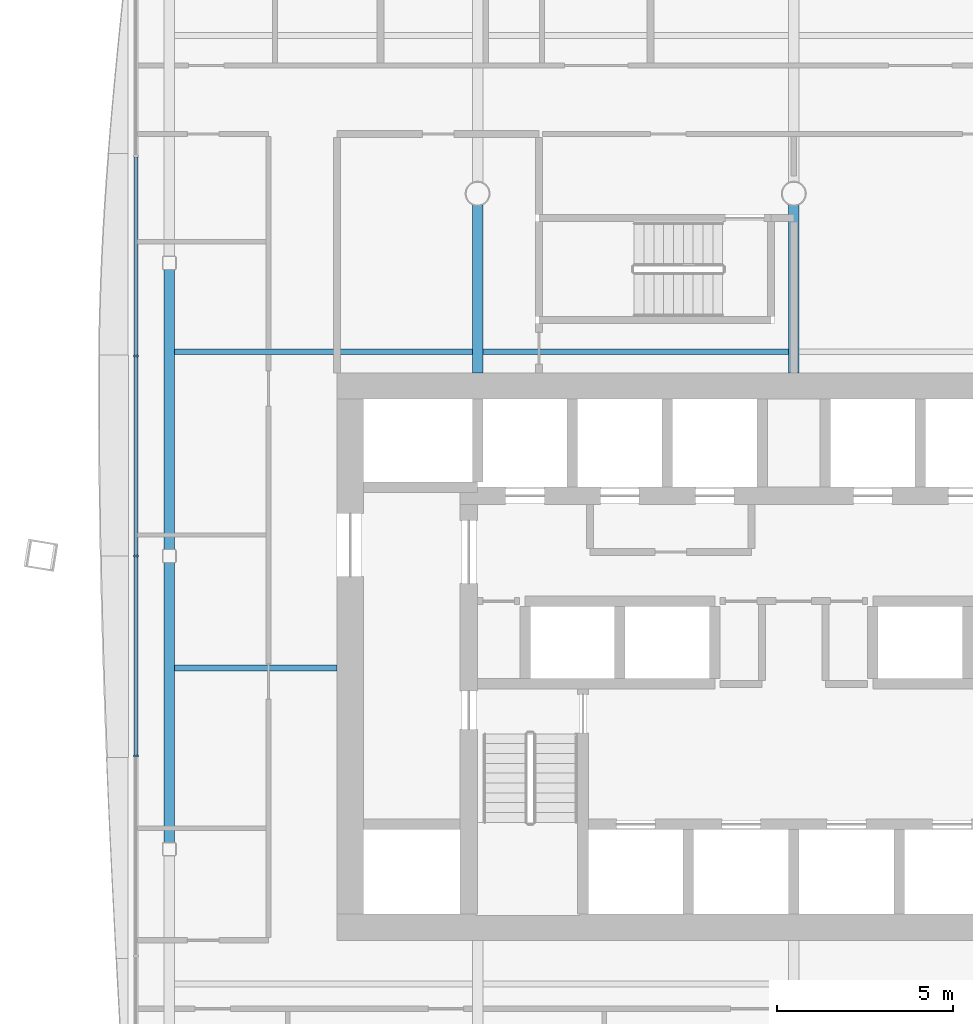
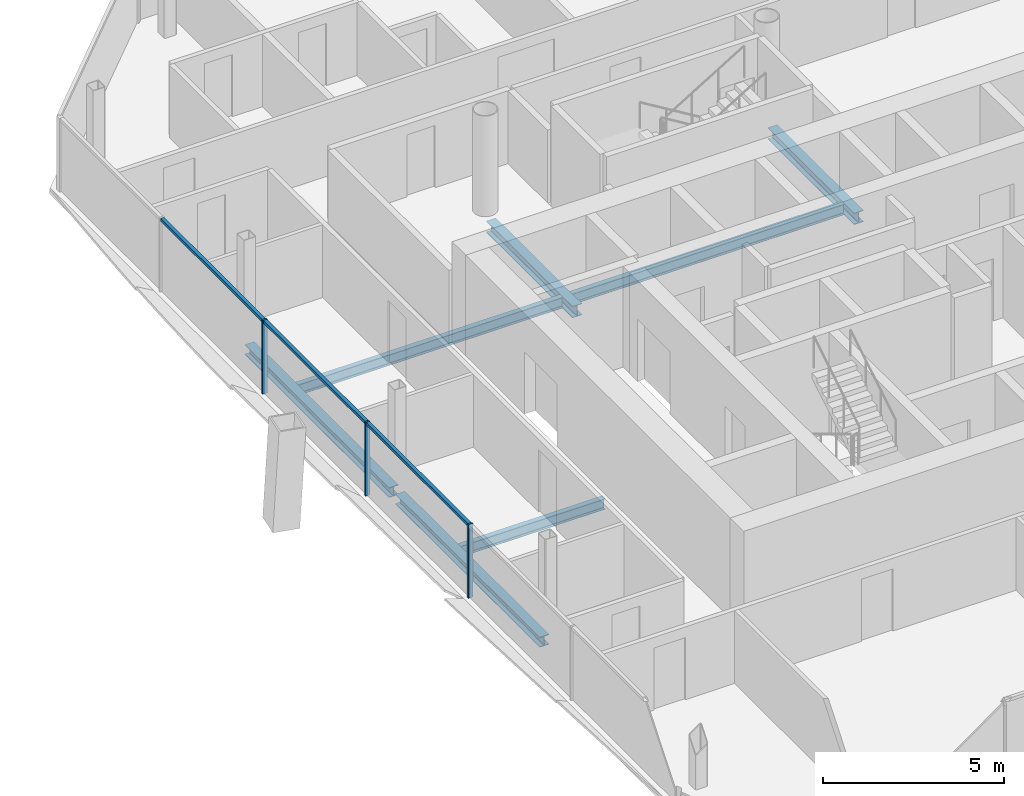
# One storey, part 5 of 17: 7 beams, 6 members, 1 element without a shape of its own.
"""IFC4 building model written with IfcOpenShell, lengths in metres."""

import ifcopenshell
import ifcopenshell.guid

model = None  # the IFC model being written
_history = None  # IfcOwnerHistory: only IFC2X3 demands one
_inside = {}  # id of a spatial element -> (the spatial element, [elements in it])
_under = {}  # id of a project, library or spatial element -> (it, [spatial elements below it])
_declared = {}  # id of a project -> (the project, [libraries it declares])
_typed = {}  # id of a type object -> (the type object, [elements of that type])
_made_of = {}  # id of a material, layer set ... -> (it, [elements and type objects made of it])


def new_model(schema):
    """Start an empty IFC model of exactly this schema.

    Asked for "IFC4X3", IfcOpenShell would pick the latest addendum, in which some entities
    have other attributes; the version numbers below select the first issue.
    IFC2X3 requires an IfcOwnerHistory on every rooted entity: one is made here for all.
    """
    global model, _history
    if schema == "IFC4X3":
        model = ifcopenshell.file(schema_version=(4, 3, 0, 0))
    else:
        model = ifcopenshell.file(schema=schema)
    _inside.clear()
    _under.clear()
    _declared.clear()
    _typed.clear()
    _made_of.clear()
    _history = None
    if model.schema == "IFC2X3":
        org = make("IfcOrganization", Name="unknown")
        user = make(
            "IfcPersonAndOrganization",
            ThePerson=make("IfcPerson", FamilyName="unknown"),
            TheOrganization=org,
        )
        app = make(
            "IfcApplication",
            ApplicationDeveloper=org,
            Version="unknown",
            ApplicationFullName="unknown",
            ApplicationIdentifier="unknown",
        )
        _history = make(
            "IfcOwnerHistory",
            OwningUser=user,
            OwningApplication=app,
            ChangeAction="ADDED",
            CreationDate=0,
        )
    return model


def make(cls, **values):
    """One entity of the class cls with the attributes given. An attribute that is None is left unset."""
    return model.create_entity(
        cls, **{name: value for name, value in values.items() if value is not None}
    )


def rooted(cls, **values):
    """An entity with a GlobalId (a new one), such as an element, a storey or a relation."""
    return make(cls, GlobalId=ifcopenshell.guid.new(), OwnerHistory=_history, **values)


def si_unit(unit_type, name, prefix=None):
    """IfcSIUnit, for example si_unit("LENGTHUNIT", "METRE", prefix="MILLI")."""
    return make("IfcSIUnit", UnitType=unit_type, Prefix=prefix, Name=name)


def assignment(units):
    """IfcUnitAssignment: the units of a project."""
    return None if units is None else make("IfcUnitAssignment", Units=units)


def point(xyz):
    """IfcCartesianPoint."""
    return None if xyz is None else make("IfcCartesianPoint", Coordinates=xyz)


def direction(xyz):
    """IfcDirection."""
    return None if xyz is None else make("IfcDirection", DirectionRatios=xyz)


def frame(location, z_axis=None, x_axis=None):
    """IfcAxis2Placement3D, a coordinate frame: its origin and axes. An axis left out is left unset."""
    return make(
        "IfcAxis2Placement3D",
        Location=point(location),
        Axis=direction(z_axis),
        RefDirection=direction(x_axis),
    )


def frame_2d(location, x_axis=None):
    """IfcAxis2Placement2D, a coordinate frame in the plane: its origin and x axis."""
    return make(
        "IfcAxis2Placement2D", Location=point(location), RefDirection=direction(x_axis)
    )


def origin():
    """The frame at (0, 0, 0) with its axes left unset."""
    return frame((0.0, 0.0, 0.0))


def origin_2d():
    """The frame at (0, 0) in the plane with its x axis left unset."""
    return frame_2d((0.0, 0.0))


def place(relative_to, where):
    """IfcLocalPlacement: puts the frame where relative to a parent placement (None: the world)."""
    return make(
        "IfcLocalPlacement", PlacementRelTo=relative_to, RelativePlacement=where
    )


def context(
    kind, dimensions, precision=None, world=None, true_north=None, identifier=None
):
    """IfcGeometricRepresentationContext, for example the 3D "Model" context."""
    return make(
        "IfcGeometricRepresentationContext",
        ContextIdentifier=identifier,
        ContextType=kind,
        CoordinateSpaceDimension=dimensions,
        Precision=precision,
        WorldCoordinateSystem=world,
        TrueNorth=true_north,
    )


def subcontext(parent, identifier, kind, view, scale=None):
    """IfcGeometricRepresentationSubContext, for example "Body" below "Model"."""
    return make(
        "IfcGeometricRepresentationSubContext",
        ContextIdentifier=identifier,
        ContextType=kind,
        ParentContext=parent,
        TargetScale=scale,
        TargetView=view,
    )


def project(units=None, contexts=None):
    """IfcProject with its units and contexts."""
    return rooted(
        "IfcProject",
        Name="project",
        RepresentationContexts=contexts,
        UnitsInContext=assignment(units),
    )


def spatial(cls, under=None, at=None, **own):
    """A site, building, storey or space (cls), placed at a placement, below another one or the project."""
    s = rooted(cls, ObjectPlacement=at, **own)
    if under is not None:
        _under.setdefault(under.id(), (under, []))[1].append(s)
    return s


def profile(cls, at=None, kind="AREA", **sizes):
    """A parametric profile (cls). Its sizes go by their IFC names, for example OverallWidth=200.0."""
    return make(cls, ProfileType=kind, Position=at, **sizes)


def rectangle(**sizes):
    """IfcRectangleProfileDef."""
    return profile("IfcRectangleProfileDef", **sizes)


def i_section(**sizes):
    """IfcIShapeProfileDef."""
    return profile("IfcIShapeProfileDef", **sizes)


def extrude(swept, where, along, depth):
    """IfcExtrudedAreaSolid: the profile swept, set in the frame where, extruded along a direction by depth."""
    return make(
        "IfcExtrudedAreaSolid",
        SweptArea=swept,
        Position=where,
        ExtrudedDirection=direction(along),
        Depth=depth,
    )


def shape(context_of_items, identifier, shape_type, items):
    """IfcShapeRepresentation: the items that make up one representation, for example the "Body"."""
    return make(
        "IfcShapeRepresentation",
        ContextOfItems=context_of_items,
        RepresentationIdentifier=identifier,
        RepresentationType=shape_type,
        Items=items,
    )


def material(Name=None, Category=None):
    """IfcMaterial."""
    return make("IfcMaterial", Name=Name, Category=Category)


def material_profile(
    of_material, cross_section, Name=None, Category=None, Priority=None
):
    """IfcMaterialProfile: a cross section and its material."""
    return make(
        "IfcMaterialProfile",
        Name=Name,
        Material=of_material,
        Profile=cross_section,
        Priority=Priority,
        Category=Category,
    )


def profile_set(profiles, Name=None, composite=None):
    """IfcMaterialProfileSet."""
    return make(
        "IfcMaterialProfileSet",
        Name=Name,
        MaterialProfiles=profiles,
        CompositeProfile=composite,
    )


def made_of(thing, what):
    """Note that an element or type object is made of a material, layer set ...; save() writes the relation."""
    if what is not None:
        _made_of.setdefault(what.id(), (what, []))[1].append(thing)
    return thing


def type_object(cls, material=None, **own):
    """A type object (cls), such as IfcWallType, which elements share."""
    return made_of(rooted(cls, **own), material)


def element(
    cls,
    number,
    at=None,
    inside=None,
    cuts=None,
    type_object=None,
    material=None,
    context=None,
    identifier="Body",
    shape_type=None,
    held_by="IfcProductDefinitionShape",
    body=None,
    shapes=None,
    **own,
):
    """One element of the class cls, such as IfcWall. Its Tag is "e" and its number.

    at: its placement. inside: the storey or other place that contains it. cuts: it is an
    opening in that element (IfcRelVoidsElement). A single representation is given by context,
    identifier, shape_type and body (its items); several are given by shapes. held_by: the class
    of the entity that holds the representations. save() writes the other relations.
    """
    e = rooted(cls, Tag="e%d" % number, ObjectPlacement=at, **own)
    if body is not None:
        shapes = [shape(context, identifier, shape_type, body)]
    if shapes is not None:
        e.Representation = make(held_by, Representations=shapes)
    if inside is not None:
        _inside.setdefault(inside.id(), (inside, []))[1].append(e)
    if cuts is not None:
        rooted(
            "IfcRelVoidsElement", RelatingBuildingElement=cuts, RelatedOpeningElement=e
        )
    if type_object is not None:
        _typed.setdefault(type_object.id(), (type_object, []))[1].append(e)
    return made_of(e, material)


def aggregate(whole, parts):
    """IfcRelAggregates: a whole, such as a stair, and the parts it consists of."""
    return rooted("IfcRelAggregates", RelatingObject=whole, RelatedObjects=parts)


def save(model, path):
    """Write the relations noted so far, then the file.

    IfcRelAggregates (storeys below a building ...), IfcRelContainedInSpatialStructure (elements
    in a storey), IfcRelDefinesByType, IfcRelAssociatesMaterial and IfcRelDeclares: one each for
    every whole, place, type object, material and project.
    """
    for whole, parts in _under.values():
        aggregate(whole, parts)
    for where, things in _inside.values():
        rooted(
            "IfcRelContainedInSpatialStructure",
            RelatedElements=things,
            RelatingStructure=where,
        )
    for kind, things in _typed.values():
        rooted("IfcRelDefinesByType", RelatedObjects=things, RelatingType=kind)
    for what, things in _made_of.values():
        rooted("IfcRelAssociatesMaterial", RelatedObjects=things, RelatingMaterial=what)
    for by, libraries in _declared.values():
        rooted("IfcRelDeclares", RelatingContext=by, RelatedDefinitions=libraries)
    model.write(path)


model = new_model("IFC4")

# Units and contexts
model_context = context("Model", 3, precision=1e-05, world=origin(), true_north=direction((0.0, 1.0)))
body_context = subcontext(model_context, "Body", "Model", "MODEL_VIEW")
ifc_project = project(units=[si_unit("LENGTHUNIT", "METRE"), si_unit("AREAUNIT", "SQUARE_METRE"), si_unit("VOLUMEUNIT", "CUBIC_METRE"), si_unit("PLANEANGLEUNIT", "RADIAN"), si_unit("MASSUNIT", "GRAM", prefix="KILO")], contexts=[model_context])

# Site, building, storey
site_placement = place(None, origin())
site = spatial("IfcSite", under=ifc_project, at=site_placement, CompositionType="ELEMENT")
building_placement = place(site_placement, origin())
building = spatial("IfcBuilding", under=site, at=building_placement, Name="Tskaro Facet Tower", CompositionType="ELEMENT")
storey_placement = place(building_placement, frame((0.0, 0.0, 158.89990234375)))
storey = spatial("IfcBuildingStorey", under=building, at=storey_placement, Name="L39", CompositionType="ELEMENT", Elevation=158.89990234375)

# Curtain wall, members
ifc_material_1 = material(Name="Bronze anodised aluminium 6063-T6", Category="aluminium")
curtain_wall_type = type_object("IfcCurtainWallType", Name="Bronze hotel curtain wall (FW2)", PredefinedType="NOTDEFINED", material=ifc_material_1)
curtain_wall_placement = place(storey_placement, origin())
curtain_wall = element("IfcCurtainWall", 1, at=curtain_wall_placement, inside=storey, type_object=curtain_wall_type, Name="FW2 west facet L39", PredefinedType="NOTDEFINED")
ifc_material_profile_1 = material_profile(ifc_material_1, rectangle(XDim=0.06005859375, YDim=0.14990234375, at=origin_2d()), Name="Mullion 60x150")
ifc_profile_set_1 = profile_set([ifc_material_profile_1], Name="Bronze anodised aluminium 6063-T6")
member_type_1 = type_object("IfcMemberType", Name="FW2 bronze mullion 60x150", PredefinedType="MULLION", material=ifc_profile_set_1)
member_1_placement = place(storey_placement, frame((-18.72412109375, 4.376708984375, 0.0), z_axis=(0.0, 0.0, 1.0), x_axis=(0.0, -1.0, 0.0)))
member_1 = element("IfcMember", 2, at=member_1_placement, type_object=member_type_1, Name="FW2 west mullion 2", PredefinedType="MULLION", context=body_context, shape_type="SweptSolid", body=[
    extrude(rectangle(XDim=0.06005859375, YDim=0.14990234375, at=origin_2d()), origin(), (0.0, 0.0, 1.0), 2.489990234375),
])
member_2_placement = place(storey_placement, frame((-18.72412109375, -1.3154296875, 0.0), z_axis=(0.0, 0.0, 1.0), x_axis=(0.0, -1.0, 0.0)))
member_2 = element("IfcMember", 3, at=member_2_placement, type_object=member_type_1, Name="FW2 west mullion 3", PredefinedType="MULLION", context=body_context, shape_type="SweptSolid", body=[
    extrude(rectangle(XDim=0.06005859375, YDim=0.14990234375, at=origin_2d()), origin(), (0.0, 0.0, 1.0), 2.489990234375),
])
member_3_placement = place(storey_placement, frame((-18.72412109375, -7.007568359375, 0.0), z_axis=(0.0, 0.0, 1.0), x_axis=(0.0, -1.0, 0.0)))
member_3 = element("IfcMember", 4, at=member_3_placement, type_object=member_type_1, Name="FW2 west mullion 4", PredefinedType="MULLION", context=body_context, shape_type="SweptSolid", body=[
    extrude(rectangle(XDim=0.06005859375, YDim=0.14990234375, at=origin_2d()), origin(), (0.0, 0.0, 1.0), 2.489990234375),
])
ifc_material_profile_2 = material_profile(ifc_material_1, rectangle(XDim=0.110107421875, YDim=0.10009765625, at=origin_2d()), Name="Transom 110x100")
ifc_profile_set_2 = profile_set([ifc_material_profile_2], Name="Bronze anodised aluminium 6063-T6")
member_type_2 = type_object("IfcMemberType", Name="FW2 bronze transom 110x100", PredefinedType="USERDEFINED", material=ifc_profile_set_2)
member_4_placement = place(storey_placement, frame((-18.72412109375, 10.038818359375, 2.440185546875), z_axis=(0.0, -1.0, 0.0), x_axis=(1.0, 0.0, 0.0)))
member_4 = element("IfcMember", 5, at=member_4_placement, type_object=member_type_2, Name="FW2 west transom 2.1", ObjectType="TRANSOM", PredefinedType="USERDEFINED", context=body_context, shape_type="SweptSolid", body=[
    extrude(rectangle(XDim=0.110107421875, YDim=0.10009765625, at=origin_2d()), origin(), (0.0, 0.0, 1.0), 5.632080078125),
])
member_5_placement = place(storey_placement, frame((-18.72412109375, 4.3466796875, 2.440185546875), z_axis=(0.0, -1.0, 0.0), x_axis=(1.0, 0.0, 0.0)))
member_5 = element("IfcMember", 6, at=member_5_placement, type_object=member_type_2, Name="FW2 west transom 3.1", ObjectType="TRANSOM", PredefinedType="USERDEFINED", context=body_context, shape_type="SweptSolid", body=[
    extrude(rectangle(XDim=0.110107421875, YDim=0.10009765625, at=origin_2d()), origin(), (0.0, 0.0, 1.0), 5.632080078125),
])
member_6_placement = place(storey_placement, frame((-18.72412109375, -1.345458984375, 2.440185546875), z_axis=(0.0, -1.0, 0.0), x_axis=(1.0, 0.0, 0.0)))
member_6 = element("IfcMember", 7, at=member_6_placement, type_object=member_type_2, Name="FW2 west transom 4.1", ObjectType="TRANSOM", PredefinedType="USERDEFINED", context=body_context, shape_type="SweptSolid", body=[
    extrude(rectangle(XDim=0.110107421875, YDim=0.10009765625, at=origin_2d()), origin(), (0.0, 0.0, 1.0), 5.63232421875),
])
aggregate(curtain_wall, [member_1, member_2, member_3, member_4, member_5, member_6])

# Beams
ifc_material_2 = material(Name="Steel S355J2", Category="steel")
ifc_material_profile_3 = material_profile(ifc_material_2, i_section(OverallWidth=0.300048828125, OverallDepth=0.340087890625, WebThickness=0.011962890625, FlangeThickness=0.021484375, FilletRadius=0.027099609375, at=origin_2d()), Name="HE 340 B")
ifc_profile_set_3 = profile_set([ifc_material_profile_3], Name="Steel S355J2")
beam_type_1 = type_object("IfcBeamType", Name="HE 340 B ring beam", PredefinedType="BEAM", material=ifc_profile_set_3)
beam_1_placement = place(storey_placement, frame((-17.77392578125, 6.845947265625, -0.309814453125), z_axis=(0.0, -1.0, 0.0), x_axis=(1.0, 0.0, 0.0)))
element("IfcBeam", 8, at=beam_1_placement, inside=storey, type_object=beam_type_1, Name="HE 340 B EB17-3", PredefinedType="BEAM", context=body_context, shape_type="SweptSolid", body=[
    extrude(i_section(OverallWidth=0.300048828125, OverallDepth=0.340087890625, WebThickness=0.011962890625, FlangeThickness=0.021484375, FilletRadius=0.027099609375, at=origin_2d()), origin(), (0.0, 0.0, 1.0), 7.98095703125),
])
beam_2_placement = place(storey_placement, frame((-17.77392578125, -1.4951171875, -0.309814453125), z_axis=(0.0, -1.0, 0.0), x_axis=(1.0, 0.0, 0.0)))
element("IfcBeam", 9, at=beam_2_placement, inside=storey, type_object=beam_type_1, Name="HE 340 B EB18-3", PredefinedType="BEAM", context=body_context, shape_type="SweptSolid", body=[
    extrude(i_section(OverallWidth=0.300048828125, OverallDepth=0.340087890625, WebThickness=0.011962890625, FlangeThickness=0.021484375, FilletRadius=0.027099609375, at=origin_2d()), origin(), (0.0, 0.0, 1.0), 7.98193359375),
])
ifc_material_profile_4 = material_profile(ifc_material_2, i_section(OverallWidth=0.300048828125, OverallDepth=0.389892578125, WebThickness=0.010986328125, FlangeThickness=0.01904296875, FilletRadius=0.027099609375, at=origin_2d()), Name="HE 400 A")
ifc_profile_set_4 = profile_set([ifc_material_profile_4], Name="Steel S355J2")
beam_type_2 = type_object("IfcBeamType", Name="HE 400 A girder", PredefinedType="BEAM", material=ifc_profile_set_4)
for number, where, z_axis, x_axis, name in (
    (10, (-9.0, 3.89990234375, -0.3349609375), (0.0, 1.0, 0.0), (-1.0, 0.0, 0.0), "HE 400 A GB3-2-3"),
    (11, (0.0, 3.89990234375, -0.3349609375), (0.0, 1.0, 0.0), (-1.0, 0.0, 0.0), "HE 400 A GB4-2-3"),
):
    element("IfcBeam", number, at=place(storey_placement, frame(where, z_axis=z_axis, x_axis=x_axis)), inside=storey, type_object=beam_type_2, Name=name, PredefinedType="BEAM", context=body_context, shape_type="SweptSolid", body=[
        extrude(i_section(OverallWidth=0.300048828125, OverallDepth=0.389892578125, WebThickness=0.010986328125, FlangeThickness=0.01904296875, FilletRadius=0.027099609375, at=origin_2d()), origin(), (0.0, 0.0, 1.0), 4.774658203125),
    ])
ifc_material_profile_5 = material_profile(ifc_material_2, i_section(OverallWidth=0.169921875, OverallDepth=0.360107421875, WebThickness=0.008056640625, FlangeThickness=0.0126953125, FilletRadius=0.01806640625, at=origin_2d()), Name="IPE 360")
ifc_profile_set_5 = profile_set([ifc_material_profile_5], Name="Steel S355J2")
beam_type_3 = type_object("IfcBeamType", Name="IPE 360 secondary beam", PredefinedType="BEAM", material=ifc_profile_set_5)
beam_3_placement = place(storey_placement, frame((-17.6240234375, -4.5, -0.31982421875), z_axis=(1.0, 0.0, 0.0), x_axis=(0.0, 1.0, 0.0)))
element("IfcBeam", 12, at=beam_3_placement, inside=storey, type_object=beam_type_3, Name="IPE 360 SB3a-1-3", PredefinedType="BEAM", context=body_context, shape_type="SweptSolid", body=[
    extrude(i_section(OverallWidth=0.169921875, OverallDepth=0.360107421875, WebThickness=0.008056640625, FlangeThickness=0.0126953125, FilletRadius=0.01806640625, at=origin_2d()), origin(), (0.0, 0.0, 1.0), 4.6240234375),
])
beam_4_placement = place(storey_placement, frame((-17.6240234375, 4.5, -0.31982421875), z_axis=(1.0, 0.0, 0.0), x_axis=(0.0, 1.0, 0.0)))
element("IfcBeam", 13, at=beam_4_placement, inside=storey, type_object=beam_type_3, Name="IPE 360 SB4a-1-3", PredefinedType="BEAM", context=body_context, shape_type="SweptSolid", body=[
    extrude(i_section(OverallWidth=0.169921875, OverallDepth=0.360107421875, WebThickness=0.008056640625, FlangeThickness=0.0126953125, FilletRadius=0.01806640625, at=origin_2d()), origin(), (0.0, 0.0, 1.0), 8.47412109375),
])
beam_5_placement = place(storey_placement, frame((-8.85009765625, 4.5, -0.31982421875), z_axis=(1.0, 0.0, 0.0), x_axis=(0.0, 1.0, 0.0)))
element("IfcBeam", 14, at=beam_5_placement, inside=storey, type_object=beam_type_3, Name="IPE 360 SB4a-2-3", PredefinedType="BEAM", context=body_context, shape_type="SweptSolid", body=[
    extrude(i_section(OverallWidth=0.169921875, OverallDepth=0.360107421875, WebThickness=0.008056640625, FlangeThickness=0.0126953125, FilletRadius=0.01806640625, at=origin_2d()), origin(), (0.0, 0.0, 1.0), 8.7001953125),
])

save(model, "model.ifc")
